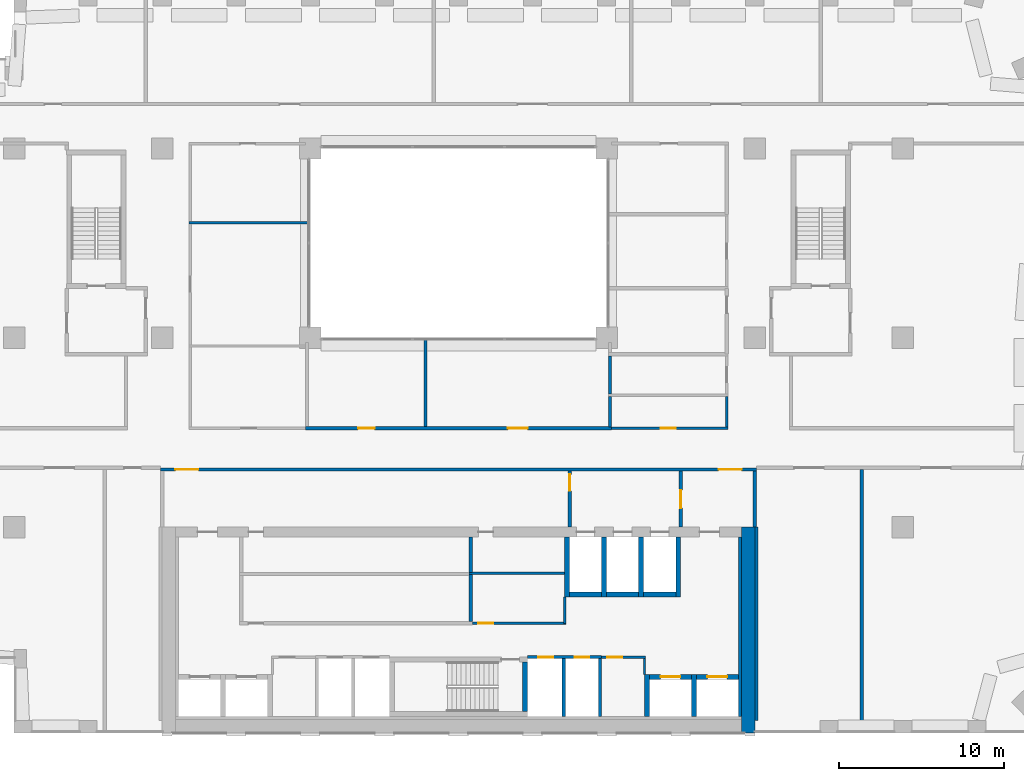
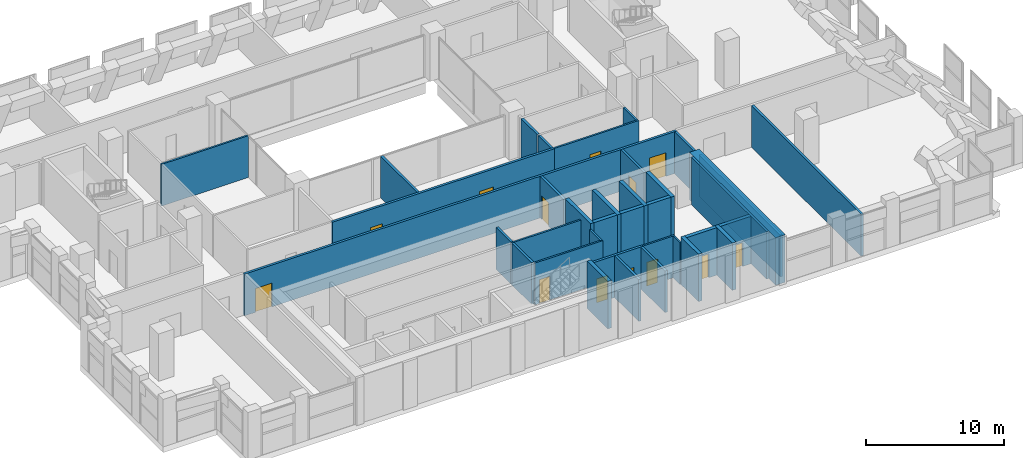
# One storey, part 17 of 20: 37 walls, 13 doors, 13 openings.
"""IFC4 building model written with IfcOpenShell, lengths in metres."""

from ifc_helpers import new_model, si_unit, direction, frame, frame_2d, origin, place, context, subcontext, project, spatial, rectangle, extrude, material, layer, layer_set, type_object, element, fill, save


model = new_model("IFC4")

# Units and contexts
model_context = context("Model", 3, precision=1e-05, world=origin(), true_north=direction((0.0, 1.0)))
body_context = subcontext(model_context, "Body", "Model", "MODEL_VIEW")
ifc_project = project(units=[si_unit("LENGTHUNIT", "METRE"), si_unit("AREAUNIT", "SQUARE_METRE"), si_unit("VOLUMEUNIT", "CUBIC_METRE"), si_unit("PLANEANGLEUNIT", "RADIAN"), si_unit("MASSUNIT", "GRAM", prefix="KILO")], contexts=[model_context])

# Site, building, storey
site_placement = place(None, origin())
site = spatial("IfcSite", under=ifc_project, at=site_placement, CompositionType="ELEMENT")
building_placement = place(site_placement, origin())
building = spatial("IfcBuilding", under=site, at=building_placement, Name="Brigalow Station Residences", CompositionType="ELEMENT")
storey_placement = place(building_placement, frame((0.0, 0.0, 137.10009765625)))
storey = spatial("IfcBuildingStorey", under=building, at=storey_placement, Name="L39", CompositionType="ELEMENT", Elevation=137.10009765625)

# Walls
ifc_material_1 = material(Name="Concrete C65", Category="concrete")
ifc_layer_1 = layer(ifc_material_1, 0.199951171875)
ifc_layer_set_1 = layer_set([ifc_layer_1], Name="CORE SHEAR WALL 200 C65")
wall_type_1 = type_object("IfcWallType", Name="CORE SHEAR WALL 200 C65", PredefinedType="SHEAR", material=ifc_layer_set_1)
wall_1_placement = place(storey_placement, frame((53.10009765625, 1.0, 0.0), z_axis=(0.0, 0.0, 1.0), x_axis=(0.0, 1.0, 0.0)))
element("IfcWall", 1, at=wall_1_placement, inside=storey, type_object=wall_type_1, Name="CORE WALL LIN-E L39", PredefinedType="SHEAR", context=body_context, shape_type="SweptSolid", body=[
    extrude(rectangle(XDim=10.89990234375, YDim=0.199951171875, at=frame_2d((5.449951171875, 0.0))), origin(), (0.0, 0.0, 1.0), 4.199951171875),
])
ifc_material_2 = material(Name="Concrete C65", Category="concrete")
ifc_layer_2 = layer(ifc_material_2, 0.300048828125)
ifc_layer_set_2 = layer_set([ifc_layer_2], Name="CORE SHEAR WALL 300 C65")
wall_type_2 = type_object("IfcWallType", Name="CORE SHEAR WALL 300 C65", PredefinedType="SHEAR", material=ifc_layer_set_2)
wall_2_placement = place(storey_placement, frame((42.75, 8.39990234375, 0.0), z_axis=(0.0, 0.0, 1.0), x_axis=(1.0, 0.0, 0.0)))
element("IfcWall", 2, at=wall_2_placement, inside=storey, type_object=wall_type_2, Name="CORE WALL SH-FF1-S L39", PredefinedType="SHEAR", context=body_context, shape_type="SweptSolid", body=[
    extrude(rectangle(XDim=1.949951171875, YDim=0.300048828125, at=frame_2d((0.97509765625, 0.0))), origin(), (0.0, 0.0, 1.0), 4.199951171875),
])
wall_3_placement = place(storey_placement, frame((42.60009765625, 8.25, 0.0), z_axis=(0.0, 0.0, 1.0), x_axis=(0.0, 1.0, 0.0)))
element("IfcWall", 3, at=wall_3_placement, inside=storey, type_object=wall_type_2, Name="CORE WALL SH-FF1-W L39", PredefinedType="SHEAR", context=body_context, shape_type="SweptSolid", body=[
    extrude(rectangle(XDim=3.64990234375, YDim=0.300048828125, at=frame_2d((1.824951171875, 0.0))), origin(), (0.0, 0.0, 1.0), 4.199951171875),
])
wall_4_placement = place(storey_placement, frame((45.0, 8.39990234375, 0.0), z_axis=(0.0, 0.0, 1.0), x_axis=(1.0, 0.0, 0.0)))
element("IfcWall", 4, at=wall_4_placement, inside=storey, type_object=wall_type_2, Name="CORE WALL SH-FF2-S L39", PredefinedType="SHEAR", context=body_context, shape_type="SweptSolid", body=[
    extrude(rectangle(XDim=1.949951171875, YDim=0.300048828125, at=frame_2d((0.97509765625, 0.0))), origin(), (0.0, 0.0, 1.0), 4.199951171875),
])
wall_5_placement = place(storey_placement, frame((44.85009765625, 8.25, 0.0), z_axis=(0.0, 0.0, 1.0), x_axis=(0.0, 1.0, 0.0)))
element("IfcWall", 5, at=wall_5_placement, inside=storey, type_object=wall_type_2, Name="CORE WALL SH-FF2-W L39", PredefinedType="SHEAR", context=body_context, shape_type="SweptSolid", body=[
    extrude(rectangle(XDim=3.64990234375, YDim=0.300048828125, at=frame_2d((1.824951171875, 0.0))), origin(), (0.0, 0.0, 1.0), 4.199951171875),
])
wall_6_placement = place(storey_placement, frame((47.25, 8.39990234375, 0.0), z_axis=(0.0, 0.0, 1.0), x_axis=(1.0, 0.0, 0.0)))
element("IfcWall", 6, at=wall_6_placement, inside=storey, type_object=wall_type_2, Name="CORE WALL SH-SL1-S L39", PredefinedType="SHEAR", context=body_context, shape_type="SweptSolid", body=[
    extrude(rectangle(XDim=1.949951171875, YDim=0.300048828125, at=frame_2d((0.97509765625, 0.0))), origin(), (0.0, 0.0, 1.0), 4.199951171875),
])
for number, where, z_axis, x_axis, name in (
    (7, (47.10009765625, 8.25, 0.0), (0.0, 0.0, 1.0), (0.0, 1.0, 0.0), "CORE WALL SH-SL1-W L39"),
    (8, (49.35009765625, 8.25, 0.0), (0.0, 0.0, 1.0), (0.0, 1.0, 0.0), "CORE WALL SH-SL1-E L39"),
):
    element("IfcWall", number, at=place(storey_placement, frame(where, z_axis=z_axis, x_axis=x_axis)), inside=storey, type_object=wall_type_2, Name=name, PredefinedType="SHEAR", context=body_context, shape_type="SweptSolid", body=[
        extrude(rectangle(XDim=3.64990234375, YDim=0.300048828125, at=frame_2d((1.824951171875, 0.0))), origin(), (0.0, 0.0, 1.0), 4.199951171875),
    ])

# Wall, opening, door
wall_7_placement = place(storey_placement, frame((47.60009765625, 3.39990234375, 0.0), z_axis=(0.0, 0.0, 1.0), x_axis=(1.0, 0.0, 0.0)))
wall_7 = element("IfcWall", 9, at=wall_7_placement, inside=storey, type_object=wall_type_2, Name="CORE WALL SH-C3-N L39", PredefinedType="SHEAR", context=body_context, shape_type="SweptSolid", body=[
    extrude(rectangle(XDim=2.5498046875, YDim=0.300048828125, at=frame_2d((1.27490234375, 0.0))), origin(), (0.0, 0.0, 1.0), 4.199951171875),
])
opening_1_placement = place(wall_7_placement, frame((0.675048828125, 0.0, 0.0)))
opening_1 = element("IfcOpeningElement", 10, at=opening_1_placement, cuts=wall_7, Name="Opening LD-LB3", PredefinedType="OPENING", context=body_context, shape_type="SweptSolid", body=[
    extrude(rectangle(XDim=1.199951171875, YDim=2.10009765625, at=frame_2d((0.60009765625, 1.050048828125))), frame((0.0, 0.16015625, 0.0), z_axis=(0.0, -1.0, 0.0), x_axis=(1.0, 0.0, 0.0)), (0.0, 0.0, 1.0), 0.320068359375),
])
ifc_material_3 = material(Name="Stainless steel sliding door leaves", Category="steel")
door_type_1 = type_object("IfcDoorType", Name="LIFT LANDING DOOR 1200 x 2100", OperationType="DOUBLE_DOOR_SLIDING", PredefinedType="DOOR", material=ifc_material_3)
door_1_placement = place(opening_1_placement, origin())
door_1 = element("IfcDoor", 11, at=door_1_placement, inside=storey, type_object=door_type_1, Name="LANDING DOOR LB3", OperationType="DOUBLE_DOOR_SLIDING", OverallHeight=2.10009765625, OverallWidth=1.199951171875, PredefinedType="DOOR", context=body_context, shape_type="SweptSolid", body=[
    extrude(rectangle(XDim=1.199951171875, YDim=2.10009765625, at=frame_2d((0.60009765625, 1.050048828125))), frame((0.0, 0.02490234375, 0.0), z_axis=(0.0, -1.0, 0.0), x_axis=(1.0, 0.0, 0.0)), (0.0, 0.0, 1.0), 0.050048828125),
])
fill(opening_1, door_1)

# Wall
wall_8_placement = place(storey_placement, frame((47.449951171875, 1.0, 0.0), z_axis=(0.0, 0.0, 1.0), x_axis=(0.0, 1.0, 0.0)))
element("IfcWall", 12, at=wall_8_placement, inside=storey, type_object=wall_type_2, Name="CORE WALL SH-C3-W L39", PredefinedType="SHEAR", context=body_context, shape_type="SweptSolid", body=[
    extrude(rectangle(XDim=2.550048828125, YDim=0.300048828125, at=frame_2d((1.27490234375, 0.0))), origin(), (0.0, 0.0, 1.0), 4.199951171875),
])

# Wall, opening, door
wall_9_placement = place(storey_placement, frame((50.449951171875, 3.39990234375, 0.0), z_axis=(0.0, 0.0, 1.0), x_axis=(1.0, 0.0, 0.0)))
wall_9 = element("IfcWall", 13, at=wall_9_placement, inside=storey, type_object=wall_type_2, Name="CORE WALL SH-C4-N L39", PredefinedType="SHEAR", context=body_context, shape_type="SweptSolid", body=[
    extrude(rectangle(XDim=2.550048828125, YDim=0.300048828125, at=frame_2d((1.27490234375, 0.0))), origin(), (0.0, 0.0, 1.0), 4.199951171875),
])
opening_2_placement = place(wall_9_placement, frame((0.675048828125, 0.0, 0.0)))
opening_2 = element("IfcOpeningElement", 14, at=opening_2_placement, cuts=wall_9, Name="Opening LD-LB4", PredefinedType="OPENING", context=body_context, shape_type="SweptSolid", body=[
    extrude(rectangle(XDim=1.199951171875, YDim=2.10009765625, at=frame_2d((0.60009765625, 1.050048828125))), frame((0.0, 0.16015625, 0.0), z_axis=(0.0, -1.0, 0.0), x_axis=(1.0, 0.0, 0.0)), (0.0, 0.0, 1.0), 0.320068359375),
])
door_2_placement = place(opening_2_placement, origin())
door_2 = element("IfcDoor", 15, at=door_2_placement, inside=storey, type_object=door_type_1, Name="LANDING DOOR LB4", OperationType="DOUBLE_DOOR_SLIDING", OverallHeight=2.10009765625, OverallWidth=1.199951171875, PredefinedType="DOOR", context=body_context, shape_type="SweptSolid", body=[
    extrude(rectangle(XDim=1.199951171875, YDim=2.10009765625, at=frame_2d((0.60009765625, 1.050048828125))), frame((0.0, 0.02490234375, 0.0), z_axis=(0.0, -1.0, 0.0), x_axis=(1.0, 0.0, 0.0)), (0.0, 0.0, 1.0), 0.050048828125),
])
fill(opening_2, door_2)

# Walls
wall_10_placement = place(storey_placement, frame((50.300048828125, 1.0, 0.0), z_axis=(0.0, 0.0, 1.0), x_axis=(0.0, 1.0, 0.0)))
element("IfcWall", 16, at=wall_10_placement, inside=storey, type_object=wall_type_2, Name="CORE WALL SH-C4-W L39", PredefinedType="SHEAR", context=body_context, shape_type="SweptSolid", body=[
    extrude(rectangle(XDim=2.550048828125, YDim=0.300048828125, at=frame_2d((1.27490234375, 0.0))), origin(), (0.0, 0.0, 1.0), 4.199951171875),
])
wall_11_placement = place(storey_placement, frame((40.050048828125, 1.300048828125, 0.0), z_axis=(0.0, 0.0, 1.0), x_axis=(0.0, 1.0, 0.0)))
element("IfcWall", 17, at=wall_11_placement, inside=storey, type_object=wall_type_2, Name="CORE WALL ST-S2-E L39", PredefinedType="SHEAR", context=body_context, shape_type="SweptSolid", body=[
    extrude(rectangle(XDim=3.0, YDim=0.300048828125, at=frame_2d((1.5, 0.0))), origin(), (0.0, 0.0, 1.0), 4.199951171875),
])
ifc_material_4 = material(Name="Concrete C65", Category="concrete")
ifc_layer_3 = layer(ifc_material_4, 0.800048828125)
ifc_layer_set_3 = layer_set([ifc_layer_3], Name="CORE SHEAR WALL 800 C65")
wall_type_3 = type_object("IfcWallType", Name="CORE SHEAR WALL 800 C65", PredefinedType="SHEAR", material=ifc_layer_set_3)
wall_12_placement = place(storey_placement, frame((53.60009765625, 0.0, 0.0), z_axis=(0.0, 0.0, 1.0), x_axis=(0.0, 1.0, 0.0)))
element("IfcWall", 18, at=wall_12_placement, inside=storey, type_object=wall_type_3, Name="CORE WALL OUT-E L39", PredefinedType="SHEAR", context=body_context, shape_type="SweptSolid", body=[
    extrude(rectangle(XDim=12.5, YDim=0.800048828125, at=frame_2d((6.25, 0.0))), origin(), (0.0, 0.0, 1.0), 4.199951171875),
])

# Wall, openings, doors
ifc_material_5 = material(Name="Concrete blockwork", Category="masonry")
ifc_layer_4 = layer(ifc_material_5, 0.199951171875)
ifc_layer_set_4 = layer_set([ifc_layer_4], Name="FIRE RATED CORE PARTITION 200")
wall_type_4 = type_object("IfcWallType", Name="FIRE RATED CORE PARTITION 200", PredefinedType="PARTITIONING", material=ifc_layer_set_4)
wall_13_placement = place(storey_placement, frame((40.199951171875, 4.60009765625, 0.0), z_axis=(0.0, 0.0, 1.0), x_axis=(1.0, 0.0, 0.0)))
wall_13 = element("IfcWall", 19, at=wall_13_placement, inside=storey, type_object=wall_type_4, Name="PW-5018", PredefinedType="PARTITIONING", context=body_context, shape_type="SweptSolid", body=[
    extrude(rectangle(XDim=4.5, YDim=0.199951171875, at=frame_2d((2.25, 0.0))), origin(), (0.0, 0.0, 1.0), 3.699951171875),
])
opening_3_placement = place(wall_13_placement, frame((0.64990234375, 0.0, 0.0)))
opening_3 = element("IfcOpeningElement", 20, at=opening_3_placement, cuts=wall_13, Name="Opening D-5009", PredefinedType="OPENING", context=body_context, shape_type="SweptSolid", body=[
    extrude(rectangle(XDim=0.89990234375, YDim=2.10009765625, at=frame_2d((0.449951171875, 1.050048828125))), frame((0.0, 0.10986328125, 0.0), z_axis=(0.0, -1.0, 0.0), x_axis=(1.0, 0.0, 0.0)), (0.0, 0.0, 1.0), 0.219970703125),
])
opening_4_placement = place(wall_13_placement, frame((2.85009765625, 0.0, 0.0)))
opening_4 = element("IfcOpeningElement", 21, at=opening_4_placement, cuts=wall_13, Name="Opening D-5010", PredefinedType="OPENING", context=body_context, shape_type="SweptSolid", body=[
    extrude(rectangle(XDim=0.89990234375, YDim=2.10009765625, at=frame_2d((0.449951171875, 1.050048828125))), frame((0.0, 0.10986328125, 0.0), z_axis=(0.0, -1.0, 0.0), x_axis=(1.0, 0.0, 0.0)), (0.0, 0.0, 1.0), 0.219970703125),
])
ifc_material_6 = material(Name="Steel fire door leaf in steel frame", Category="steel")
door_type_2 = type_object("IfcDoorType", Name="RISER ACCESS DOOR 900 x 2100 FD120", OperationType="SINGLE_SWING_LEFT", PredefinedType="DOOR", material=ifc_material_6)
door_3_placement = place(opening_3_placement, frame((0.89990234375, 0.0, 0.0), z_axis=(0.0, 0.0, 1.0), x_axis=(-1.0, 0.0, 0.0)))
door_3 = element("IfcDoor", 22, at=door_3_placement, inside=storey, type_object=door_type_2, Name="D-5009", OperationType="SINGLE_SWING_LEFT", OverallHeight=2.10009765625, OverallWidth=0.89990234375, PredefinedType="DOOR", context=body_context, shape_type="SweptSolid", body=[
    extrude(rectangle(XDim=0.89990234375, YDim=2.10009765625, at=frame_2d((0.449951171875, 1.050048828125))), frame((0.0, 0.02490234375, 0.0), z_axis=(0.0, -1.0, 0.0), x_axis=(1.0, 0.0, 0.0)), (0.0, 0.0, 1.0), 0.050048828125),
])
fill(opening_3, door_3)
door_4_placement = place(opening_4_placement, frame((0.89990234375, 0.0, 0.0), z_axis=(0.0, 0.0, 1.0), x_axis=(-1.0, 0.0, 0.0)))
door_4 = element("IfcDoor", 23, at=door_4_placement, inside=storey, type_object=door_type_2, Name="D-5010", OperationType="SINGLE_SWING_RIGHT", OverallHeight=2.10009765625, OverallWidth=0.89990234375, PredefinedType="DOOR", context=body_context, shape_type="SweptSolid", body=[
    extrude(rectangle(XDim=0.89990234375, YDim=2.10009765625, at=frame_2d((0.449951171875, 1.050048828125))), frame((0.0, 0.02490234375, 0.0), z_axis=(0.0, -1.0, 0.0), x_axis=(1.0, 0.0, 0.0)), (0.0, 0.0, 1.0), 0.050048828125),
])
fill(opening_4, door_4)

# Walls
for number, where, z_axis, x_axis, name in (
    (24, (42.39990234375, 1.0, 0.0), (0.0, 0.0, 1.0), (0.0, 1.0, 0.0), "PW-5007"),
    (25, (44.60009765625, 1.0, 0.0), (0.0, 0.0, 1.0), (0.0, 1.0, 0.0), "PW-5008"),
):
    element("IfcWall", number, at=place(storey_placement, frame(where, z_axis=z_axis, x_axis=x_axis)), inside=storey, type_object=wall_type_4, Name=name, PredefinedType="PARTITIONING", context=body_context, shape_type="SweptSolid", body=[
        extrude(rectangle(XDim=3.5, YDim=0.199951171875, at=frame_2d((1.75, 0.0))), origin(), (0.0, 0.0, 1.0), 3.699951171875),
    ])
wall_14_placement = place(storey_placement, frame((36.75, 6.75, 0.0), z_axis=(0.0, 0.0, 1.0), x_axis=(0.0, 1.0, 0.0)))
element("IfcWall", 26, at=wall_14_placement, inside=storey, type_object=wall_type_4, Name="PW-5262", PredefinedType="PARTITIONING", context=body_context, shape_type="SweptSolid", body=[
    extrude(rectangle(XDim=2.8701171875, YDim=0.199951171875, at=frame_2d((1.43505859375, 0.0))), origin(), (0.0, 0.0, 1.0), 3.699951171875),
])
wall_15_placement = place(storey_placement, frame((36.75, 9.75, 0.0), z_axis=(0.0, 0.0, 1.0), x_axis=(0.0, 1.0, 0.0)))
element("IfcWall", 27, at=wall_15_placement, inside=storey, type_object=wall_type_4, Name="PW-5256", PredefinedType="PARTITIONING", context=body_context, shape_type="SweptSolid", body=[
    extrude(rectangle(XDim=2.14990234375, YDim=0.199951171875, at=frame_2d((1.074951171875, 0.0))), origin(), (0.0, 0.0, 1.0), 3.699951171875),
])

# Wall, opening, door
wall_16_placement = place(storey_placement, frame((42.75, 12.5, 0.0), z_axis=(0.0, 0.0, 1.0), x_axis=(0.0, 1.0, 0.0)))
wall_16 = element("IfcWall", 28, at=wall_16_placement, inside=storey, type_object=wall_type_4, Name="PW-5014", PredefinedType="PARTITIONING", context=body_context, shape_type="SweptSolid", body=[
    extrude(rectangle(XDim=3.39990234375, YDim=0.199951171875, at=frame_2d((1.699951171875, 0.0))), origin(), (0.0, 0.0, 1.0), 3.699951171875),
])
opening_5_placement = place(wall_16_placement, frame((2.199951171875, 0.0, 0.0)))
opening_5 = element("IfcOpeningElement", 29, at=opening_5_placement, cuts=wall_16, Name="Opening D-5013", PredefinedType="OPENING", context=body_context, shape_type="SweptSolid", body=[
    extrude(rectangle(XDim=1.0, YDim=2.10009765625, at=frame_2d((0.5, 1.050048828125))), frame((0.0, 0.10986328125, 0.0), z_axis=(0.0, -1.0, 0.0), x_axis=(1.0, 0.0, 0.0)), (0.0, 0.0, 1.0), 0.219970703125),
])
ifc_material_7 = material(Name="Steel fire door leaf in steel frame", Category="steel")
door_type_3 = type_object("IfcDoorType", Name="LOBBY DOOR 1000 x 2100 FD60S", OperationType="SINGLE_SWING_LEFT", PredefinedType="DOOR", material=ifc_material_7)
door_5_placement = place(opening_5_placement, origin())
door_5 = element("IfcDoor", 30, at=door_5_placement, inside=storey, type_object=door_type_3, Name="D-5013", OperationType="SINGLE_SWING_RIGHT", OverallHeight=2.10009765625, OverallWidth=1.0, PredefinedType="DOOR", context=body_context, shape_type="SweptSolid", body=[
    extrude(rectangle(XDim=1.0, YDim=2.10009765625, at=frame_2d((0.5, 1.050048828125))), frame((0.0, 0.02490234375, 0.0), z_axis=(0.0, -1.0, 0.0), x_axis=(1.0, 0.0, 0.0)), (0.0, 0.0, 1.0), 0.050048828125),
])
fill(opening_5, door_5)

wall_17_placement = place(storey_placement, frame((49.5, 12.5, 0.0), z_axis=(0.0, 0.0, 1.0), x_axis=(0.0, 1.0, 0.0)))
wall_17 = element("IfcWall", 31, at=wall_17_placement, inside=storey, type_object=wall_type_4, Name="PW-5015", PredefinedType="PARTITIONING", context=body_context, shape_type="SweptSolid", body=[
    extrude(rectangle(XDim=3.39990234375, YDim=0.199951171875, at=frame_2d((1.699951171875, 0.0))), origin(), (0.0, 0.0, 1.0), 3.699951171875),
])
opening_6_placement = place(wall_17_placement, frame((1.14990234375, 0.0, 0.0)))
opening_6 = element("IfcOpeningElement", 32, at=opening_6_placement, cuts=wall_17, Name="Opening D-5014", PredefinedType="OPENING", context=body_context, shape_type="SweptSolid", body=[
    extrude(rectangle(XDim=1.10009765625, YDim=2.10009765625, at=frame_2d((0.550048828125, 1.050048828125))), frame((0.0, 0.10986328125, 0.0), z_axis=(0.0, -1.0, 0.0), x_axis=(1.0, 0.0, 0.0)), (0.0, 0.0, 1.0), 0.219970703125),
])
ifc_material_8 = material(Name="Steel fire door leaf in steel frame", Category="steel")
door_type_4 = type_object("IfcDoorType", Name="LOBBY DOOR 1100 x 2100 FD60S", OperationType="SINGLE_SWING_LEFT", PredefinedType="DOOR", material=ifc_material_8)
door_6_placement = place(opening_6_placement, origin())
door_6 = element("IfcDoor", 33, at=door_6_placement, inside=storey, type_object=door_type_4, Name="D-5014", OperationType="SINGLE_SWING_RIGHT", OverallHeight=2.10009765625, OverallWidth=1.10009765625, PredefinedType="DOOR", context=body_context, shape_type="SweptSolid", body=[
    extrude(rectangle(XDim=1.10009765625, YDim=2.10009765625, at=frame_2d((0.550048828125, 1.050048828125))), frame((0.0, 0.02490234375, 0.0), z_axis=(0.0, -1.0, 0.0), x_axis=(1.0, 0.0, 0.0)), (0.0, 0.0, 1.0), 0.050048828125),
])
fill(opening_6, door_6)

# Wall
wall_18_placement = place(storey_placement, frame((54.0, 12.5, 0.0), z_axis=(0.0, 0.0, 1.0), x_axis=(0.0, 1.0, 0.0)))
element("IfcWall", 34, at=wall_18_placement, inside=storey, type_object=wall_type_4, Name="PW-5016", PredefinedType="PARTITIONING", context=body_context, shape_type="SweptSolid", body=[
    extrude(rectangle(XDim=3.39990234375, YDim=0.199951171875, at=frame_2d((1.699951171875, 0.0))), origin(), (0.0, 0.0, 1.0), 3.699951171875),
])

# Wall, openings, doors
wall_19_placement = place(storey_placement, frame((17.89990234375, 16.0, 0.0), z_axis=(0.0, 0.0, 1.0), x_axis=(1.0, 0.0, 0.0)))
wall_19 = element("IfcWall", 35, at=wall_19_placement, inside=storey, type_object=wall_type_4, Name="PW-5038", PredefinedType="PARTITIONING", context=body_context, shape_type="SweptSolid", body=[
    extrude(rectangle(XDim=36.2001953125, YDim=0.199951171875, at=frame_2d((18.10009765625, 0.0))), origin(), (0.0, 0.0, 1.0), 3.699951171875),
])
opening_7_placement = place(wall_19_placement, frame((0.89990234375, 0.0, 0.0)))
opening_7 = element("IfcOpeningElement", 36, at=opening_7_placement, cuts=wall_19, Name="Opening D-5029", PredefinedType="OPENING", context=body_context, shape_type="SweptSolid", body=[
    extrude(rectangle(XDim=1.39990234375, YDim=2.10009765625, at=frame_2d((0.699951171875, 1.050048828125))), frame((0.0, 0.10986328125, 0.0), z_axis=(0.0, -1.0, 0.0), x_axis=(1.0, 0.0, 0.0)), (0.0, 0.0, 1.0), 0.219970703125),
])
opening_8_placement = place(wall_19_placement, frame((33.89990234375, 0.0, 0.0)))
opening_8 = element("IfcOpeningElement", 37, at=opening_8_placement, cuts=wall_19, Name="Opening D-5030", PredefinedType="OPENING", context=body_context, shape_type="SweptSolid", body=[
    extrude(rectangle(XDim=1.39990234375, YDim=2.10009765625, at=frame_2d((0.699951171875, 1.050048828125))), frame((0.0, 0.10986328125, 0.0), z_axis=(0.0, -1.0, 0.0), x_axis=(1.0, 0.0, 0.0)), (0.0, 0.0, 1.0), 0.219970703125),
])
ifc_material_9 = material(Name="Steel fire door leaves in steel frame", Category="steel")
door_type_5 = type_object("IfcDoorType", Name="CORRIDOR FIRE DOOR 1400 x 2100 FD60S", OperationType="SINGLE_SWING_LEFT", PredefinedType="DOOR", material=ifc_material_9)
door_7_placement = place(opening_7_placement, frame((1.39990234375, 0.0, 0.0), z_axis=(0.0, 0.0, 1.0), x_axis=(-1.0, 0.0, 0.0)))
door_7 = element("IfcDoor", 38, at=door_7_placement, inside=storey, type_object=door_type_5, Name="D-5029", OperationType="SINGLE_SWING_RIGHT", OverallHeight=2.10009765625, OverallWidth=1.39990234375, PredefinedType="DOOR", context=body_context, shape_type="SweptSolid", body=[
    extrude(rectangle(XDim=1.39990234375, YDim=2.10009765625, at=frame_2d((0.699951171875, 1.050048828125))), frame((0.0, 0.02490234375, 0.0), z_axis=(0.0, -1.0, 0.0), x_axis=(1.0, 0.0, 0.0)), (0.0, 0.0, 1.0), 0.050048828125),
])
fill(opening_7, door_7)
door_8_placement = place(opening_8_placement, origin())
door_8 = element("IfcDoor", 39, at=door_8_placement, inside=storey, type_object=door_type_5, Name="D-5030", OperationType="SINGLE_SWING_RIGHT", OverallHeight=2.10009765625, OverallWidth=1.39990234375, PredefinedType="DOOR", context=body_context, shape_type="SweptSolid", body=[
    extrude(rectangle(XDim=1.39990234375, YDim=2.10009765625, at=frame_2d((0.699951171875, 1.050048828125))), frame((0.0, 0.02490234375, 0.0), z_axis=(0.0, -1.0, 0.0), x_axis=(1.0, 0.0, 0.0)), (0.0, 0.0, 1.0), 0.050048828125),
])
fill(opening_8, door_8)

wall_20_placement = place(storey_placement, frame((26.699951171875, 18.5, 0.0), z_axis=(0.0, 0.0, 1.0), x_axis=(1.0, 0.0, 0.0)))
wall_20 = element("IfcWall", 40, at=wall_20_placement, inside=storey, type_object=wall_type_4, Name="PW-5161", PredefinedType="PARTITIONING", context=body_context, shape_type="SweptSolid", body=[
    extrude(rectangle(XDim=18.60009765625, YDim=0.199951171875, at=frame_2d((9.300048828125, 0.0))), origin(), (0.0, 0.0, 1.0), 3.699951171875),
])
opening_9_placement = place(wall_20_placement, frame((3.199951171875, 0.0, 0.0)))
opening_9 = element("IfcOpeningElement", 41, at=opening_9_placement, cuts=wall_20, Name="Opening D-5141", PredefinedType="OPENING", context=body_context, shape_type="SweptSolid", body=[
    extrude(rectangle(XDim=1.0, YDim=2.10009765625, at=frame_2d((0.5, 1.050048828125))), frame((0.0, 0.10986328125, 0.0), z_axis=(0.0, -1.0, 0.0), x_axis=(1.0, 0.0, 0.0)), (0.0, 0.0, 1.0), 0.219970703125),
])
opening_10_placement = place(wall_20_placement, frame((12.300048828125, 0.0, 0.0)))
opening_10 = element("IfcOpeningElement", 42, at=opening_10_placement, cuts=wall_20, Name="Opening D-5142", PredefinedType="OPENING", context=body_context, shape_type="SweptSolid", body=[
    extrude(rectangle(XDim=1.199951171875, YDim=2.10009765625, at=frame_2d((0.60009765625, 1.050048828125))), frame((0.0, 0.10986328125, 0.0), z_axis=(0.0, -1.0, 0.0), x_axis=(1.0, 0.0, 0.0)), (0.0, 0.0, 1.0), 0.219970703125),
])
ifc_material_10 = material(Name="Steel fire door leaf in steel frame", Category="steel")
door_type_6 = type_object("IfcDoorType", Name="PLANT ROOM DOOR 1000 x 2100 FD60", OperationType="SINGLE_SWING_LEFT", PredefinedType="DOOR", material=ifc_material_10)
door_9_placement = place(opening_9_placement, origin())
door_9 = element("IfcDoor", 43, at=door_9_placement, inside=storey, type_object=door_type_6, Name="D-5141", OperationType="SINGLE_SWING_LEFT", OverallHeight=2.10009765625, OverallWidth=1.0, PredefinedType="DOOR", context=body_context, shape_type="SweptSolid", body=[
    extrude(rectangle(XDim=1.0, YDim=2.10009765625, at=frame_2d((0.5, 1.050048828125))), frame((0.0, 0.02490234375, 0.0), z_axis=(0.0, -1.0, 0.0), x_axis=(1.0, 0.0, 0.0)), (0.0, 0.0, 1.0), 0.050048828125),
])
fill(opening_9, door_9)
ifc_material_11 = material(Name="Steel fire door leaves in steel frame", Category="steel")
door_type_7 = type_object("IfcDoorType", Name="REFUGE AREA DOOR 1200 x 2100 FD60S", OperationType="SINGLE_SWING_LEFT", PredefinedType="DOOR", material=ifc_material_11)
door_10_placement = place(opening_10_placement, frame((1.199951171875, 0.0, 0.0), z_axis=(0.0, 0.0, 1.0), x_axis=(-1.0, 0.0, 0.0)))
door_10 = element("IfcDoor", 44, at=door_10_placement, inside=storey, type_object=door_type_7, Name="D-5142", OperationType="SINGLE_SWING_RIGHT", OverallHeight=2.10009765625, OverallWidth=1.199951171875, PredefinedType="DOOR", context=body_context, shape_type="SweptSolid", body=[
    extrude(rectangle(XDim=1.199951171875, YDim=2.10009765625, at=frame_2d((0.60009765625, 1.050048828125))), frame((0.0, 0.02490234375, 0.0), z_axis=(0.0, -1.0, 0.0), x_axis=(1.0, 0.0, 0.0)), (0.0, 0.0, 1.0), 0.050048828125),
])
fill(opening_10, door_10)

# Walls
wall_21_placement = place(storey_placement, frame((54.10009765625, 0.75, 0.0), z_axis=(0.0, 0.0, 1.0), x_axis=(0.0, 1.0, 0.0)))
element("IfcWall", 45, at=wall_21_placement, inside=storey, type_object=wall_type_4, Name="PW-5281", PredefinedType="PARTITIONING", context=body_context, shape_type="SweptSolid", body=[
    extrude(rectangle(XDim=11.75, YDim=0.199951171875, at=frame_2d((5.875, 0.0))), origin(), (0.0, 0.0, 1.0), 3.699951171875),
])
wall_22_placement = place(storey_placement, frame((60.5, 0.090087890625, 0.0), z_axis=(0.0, 0.0, 1.0), x_axis=(0.0, 1.0, 0.0)))
element("IfcWall", 46, at=wall_22_placement, inside=storey, type_object=wall_type_4, Name="PW-5282", PredefinedType="PARTITIONING", context=body_context, shape_type="SweptSolid", body=[
    extrude(rectangle(XDim=15.909912109375, YDim=0.199951171875, at=frame_2d((7.955078125, 0.0))), origin(), (0.0, 0.0, 1.0), 3.699951171875),
])
wall_23_placement = place(storey_placement, frame((45.199951171875, 18.574951171875, 0.0), z_axis=(0.0, 0.0, 1.0), x_axis=(0.0, 1.0, 0.0)))
element("IfcWall", 47, at=wall_23_placement, inside=storey, type_object=wall_type_4, Name="PW-5183", PredefinedType="PARTITIONING", context=body_context, shape_type="SweptSolid", body=[
    extrude(rectangle(XDim=1.85009765625, YDim=0.199951171875, at=frame_2d((0.925048828125, 0.0))), origin(), (0.0, 0.0, 1.0), 3.699951171875),
])
wall_24_placement = place(storey_placement, frame((34.0, 18.60009765625, 0.0), z_axis=(0.0, 0.0, 1.0), x_axis=(0.0, 1.0, 0.0)))
element("IfcWall", 48, at=wall_24_placement, inside=storey, type_object=wall_type_4, Name="PW-5285", PredefinedType="PARTITIONING", context=body_context, shape_type="SweptSolid", body=[
    extrude(rectangle(XDim=5.303955078125, YDim=0.199951171875, at=frame_2d((2.65185546875, 0.0))), origin(), (0.0, 0.0, 1.0), 3.699951171875),
])
wall_25_placement = place(storey_placement, frame((45.199951171875, 20.574951171875, 0.0), z_axis=(0.0, 0.0, 1.0), x_axis=(0.0, 1.0, 0.0)))
element("IfcWall", 49, at=wall_25_placement, inside=storey, type_object=wall_type_4, Name="PW-5185", PredefinedType="PARTITIONING", context=body_context, shape_type="SweptSolid", body=[
    extrude(rectangle(XDim=2.324951171875, YDim=0.199951171875, at=frame_2d((1.16259765625, 0.0))), origin(), (0.0, 0.0, 1.0), 3.699951171875),
])

# Wall, opening, door
ifc_material_12 = material(Name="Plasterboard on steel studs", Category="steel")
ifc_layer_5 = layer(ifc_material_12, 0.14990234375)
ifc_layer_set_5 = layer_set([ifc_layer_5], Name="SERVICE ROOM PARTITION 150")
wall_type_5 = type_object("IfcWallType", Name="SERVICE ROOM PARTITION 150", PredefinedType="PARTITIONING", material=ifc_layer_set_5)
wall_26_placement = place(storey_placement, frame((44.699951171875, 4.60009765625, 0.0), z_axis=(0.0, 0.0, 1.0), x_axis=(1.0, 0.0, 0.0)))
wall_26 = element("IfcWall", 50, at=wall_26_placement, inside=storey, type_object=wall_type_5, Name="PW-5156", PredefinedType="PARTITIONING", context=body_context, shape_type="SweptSolid", body=[
    extrude(rectangle(XDim=2.675048828125, YDim=0.14990234375, at=frame_2d((1.33740234375, 0.0))), origin(), (0.0, 0.0, 1.0), 3.699951171875),
])
opening_11_placement = place(wall_26_placement, frame((0.35009765625, 0.0, 0.0)))
opening_11 = element("IfcOpeningElement", 51, at=opening_11_placement, cuts=wall_26, Name="Opening D-5026", PredefinedType="OPENING", context=body_context, shape_type="SweptSolid", body=[
    extrude(rectangle(XDim=0.89990234375, YDim=2.10009765625, at=frame_2d((0.449951171875, 1.050048828125))), frame((0.0, 0.0849609375, 0.0), z_axis=(0.0, -1.0, 0.0), x_axis=(1.0, 0.0, 0.0)), (0.0, 0.0, 1.0), 0.169921875),
])
ifc_material_13 = material(Name="Steel door leaf in steel frame", Category="steel")
door_type_8 = type_object("IfcDoorType", Name="SERVICE ROOM DOOR 900 x 2100 FD60", OperationType="SINGLE_SWING_LEFT", PredefinedType="DOOR", material=ifc_material_13)
door_11_placement = place(opening_11_placement, frame((0.89990234375, 0.0, 0.0), z_axis=(0.0, 0.0, 1.0), x_axis=(-1.0, 0.0, 0.0)))
door_11 = element("IfcDoor", 52, at=door_11_placement, inside=storey, type_object=door_type_8, Name="D-5026", OperationType="SINGLE_SWING_RIGHT", OverallHeight=2.10009765625, OverallWidth=0.89990234375, PredefinedType="DOOR", context=body_context, shape_type="SweptSolid", body=[
    extrude(rectangle(XDim=0.89990234375, YDim=2.10009765625, at=frame_2d((0.449951171875, 1.050048828125))), frame((0.0, 0.02490234375, 0.0), z_axis=(0.0, -1.0, 0.0), x_axis=(1.0, 0.0, 0.0)), (0.0, 0.0, 1.0), 0.050048828125),
])
fill(opening_11, door_11)

wall_27_placement = place(storey_placement, frame((36.85009765625, 6.64990234375, 0.0), z_axis=(0.0, 0.0, 1.0), x_axis=(1.0, 0.0, 0.0)))
wall_27 = element("IfcWall", 53, at=wall_27_placement, inside=storey, type_object=wall_type_5, Name="PW-5260", PredefinedType="PARTITIONING", context=body_context, shape_type="SweptSolid", body=[
    extrude(rectangle(XDim=5.6748046875, YDim=0.14990234375, at=frame_2d((2.83740234375, 0.0))), origin(), (0.0, 0.0, 1.0), 3.699951171875),
])
opening_12_placement = place(wall_27_placement, frame((0.35009765625, 0.0, 0.0)))
opening_12 = element("IfcOpeningElement", 54, at=opening_12_placement, cuts=wall_27, Name="Opening D-5114", PredefinedType="OPENING", context=body_context, shape_type="SweptSolid", body=[
    extrude(rectangle(XDim=0.89990234375, YDim=2.10009765625, at=frame_2d((0.449951171875, 1.050048828125))), frame((0.0, 0.0849609375, 0.0), z_axis=(0.0, -1.0, 0.0), x_axis=(1.0, 0.0, 0.0)), (0.0, 0.0, 1.0), 0.169921875),
])
door_12_placement = place(opening_12_placement, origin())
door_12 = element("IfcDoor", 55, at=door_12_placement, inside=storey, type_object=door_type_8, Name="D-5114", OperationType="SINGLE_SWING_LEFT", OverallHeight=2.10009765625, OverallWidth=0.89990234375, PredefinedType="DOOR", context=body_context, shape_type="SweptSolid", body=[
    extrude(rectangle(XDim=0.89990234375, YDim=2.10009765625, at=frame_2d((0.449951171875, 1.050048828125))), frame((0.0, 0.02490234375, 0.0), z_axis=(0.0, -1.0, 0.0), x_axis=(1.0, 0.0, 0.0)), (0.0, 0.0, 1.0), 0.050048828125),
])
fill(opening_12, door_12)

# Walls
wall_28_placement = place(storey_placement, frame((36.64990234375, 9.695068359375, 0.0), z_axis=(0.0, 0.0, 1.0), x_axis=(1.0, 0.0, 0.0)))
element("IfcWall", 56, at=wall_28_placement, inside=storey, type_object=wall_type_5, Name="PW-5261", PredefinedType="PARTITIONING", context=body_context, shape_type="SweptSolid", body=[
    extrude(rectangle(XDim=5.800048828125, YDim=0.14990234375, at=frame_2d((2.89990234375, 0.0))), origin(), (0.0, 0.0, 1.0), 3.699951171875),
])
wall_29_placement = place(storey_placement, frame((47.300048828125, 3.550048828125, 0.0), z_axis=(0.0, 0.0, 1.0), x_axis=(0.0, 1.0, 0.0)))
element("IfcWall", 57, at=wall_29_placement, inside=storey, type_object=wall_type_5, Name="PW-5158", PredefinedType="PARTITIONING", context=body_context, shape_type="SweptSolid", body=[
    extrude(rectangle(XDim=0.974853515625, YDim=0.14990234375, at=frame_2d((0.4873046875, 0.0))), origin(), (0.0, 0.0, 1.0), 3.699951171875),
])
wall_30_placement = place(storey_placement, frame((42.449951171875, 6.64990234375, 0.0), z_axis=(0.0, 0.0, 1.0), x_axis=(0.0, 1.0, 0.0)))
element("IfcWall", 58, at=wall_30_placement, inside=storey, type_object=wall_type_5, Name="PW-5029", PredefinedType="PARTITIONING", context=body_context, shape_type="SweptSolid", body=[
    extrude(rectangle(XDim=1.60009765625, YDim=0.14990234375, at=frame_2d((0.800048828125, 0.0))), origin(), (0.0, 0.0, 1.0), 3.699951171875),
])

# Wall, opening, door
wall_31_placement = place(storey_placement, frame((45.300048828125, 18.5, 0.0), z_axis=(0.0, 0.0, 1.0), x_axis=(1.0, 0.0, 0.0)))
wall_31 = element("IfcWall", 59, at=wall_31_placement, inside=storey, type_object=wall_type_5, Name="PW-5267", PredefinedType="PARTITIONING", context=body_context, shape_type="SweptSolid", body=[
    extrude(rectangle(XDim=7.074951171875, YDim=0.14990234375, at=frame_2d((3.53759765625, 0.0))), origin(), (0.0, 0.0, 1.0), 3.699951171875),
])
opening_13_placement = place(wall_31_placement, frame((3.0, 0.0, 0.0)))
opening_13 = element("IfcOpeningElement", 60, at=opening_13_placement, cuts=wall_31, Name="Opening D-5136", PredefinedType="OPENING", context=body_context, shape_type="SweptSolid", body=[
    extrude(rectangle(XDim=0.89990234375, YDim=2.10009765625, at=frame_2d((0.449951171875, 1.050048828125))), frame((0.0, 0.0849609375, 0.0), z_axis=(0.0, -1.0, 0.0), x_axis=(1.0, 0.0, 0.0)), (0.0, 0.0, 1.0), 0.169921875),
])
ifc_material_14 = material(Name="Timber door leaf in steel frame", Category="steel")
door_type_9 = type_object("IfcDoorType", Name="WC DOOR 900 x 2100 FD60", OperationType="SINGLE_SWING_LEFT", PredefinedType="DOOR", material=ifc_material_14)
door_13_placement = place(opening_13_placement, origin())
door_13 = element("IfcDoor", 61, at=door_13_placement, inside=storey, type_object=door_type_9, Name="D-5136", OperationType="SINGLE_SWING_LEFT", OverallHeight=2.10009765625, OverallWidth=0.89990234375, PredefinedType="DOOR", context=body_context, shape_type="SweptSolid", body=[
    extrude(rectangle(XDim=0.89990234375, YDim=2.10009765625, at=frame_2d((0.449951171875, 1.050048828125))), frame((0.0, 0.02490234375, 0.0), z_axis=(0.0, -1.0, 0.0), x_axis=(1.0, 0.0, 0.0)), (0.0, 0.0, 1.0), 0.050048828125),
])
fill(opening_13, door_13)

# Walls
wall_32_placement = place(storey_placement, frame((19.625, 31.0, 0.0), z_axis=(0.0, 0.0, 1.0), x_axis=(1.0, 0.0, 0.0)))
element("IfcWall", 62, at=wall_32_placement, inside=storey, type_object=wall_type_5, Name="PW-5272", PredefinedType="PARTITIONING", context=body_context, shape_type="SweptSolid", body=[
    extrude(rectangle(XDim=7.279052734375, YDim=0.14990234375, at=frame_2d((3.6396484375, 0.0))), origin(), (0.0, 0.0, 1.0), 3.699951171875),
])
wall_33_placement = place(storey_placement, frame((52.300048828125, 18.574951171875, 0.0), z_axis=(0.0, 0.0, 1.0), x_axis=(0.0, 1.0, 0.0)))
element("IfcWall", 63, at=wall_33_placement, inside=storey, type_object=wall_type_5, Name="PW-5284", PredefinedType="PARTITIONING", context=body_context, shape_type="SweptSolid", body=[
    extrude(rectangle(XDim=1.85009765625, YDim=0.14990234375, at=frame_2d((0.925048828125, 0.0))), origin(), (0.0, 0.0, 1.0), 3.699951171875),
])

save(model, "model.ifc")
